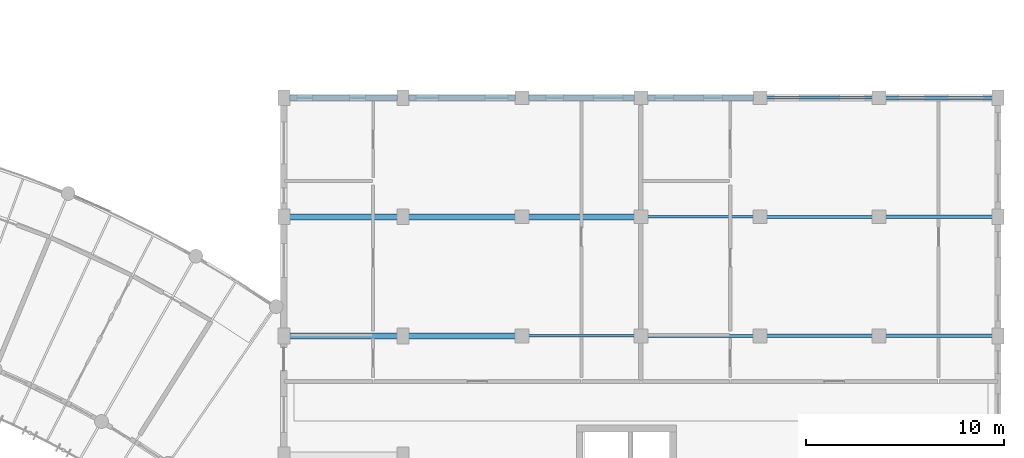
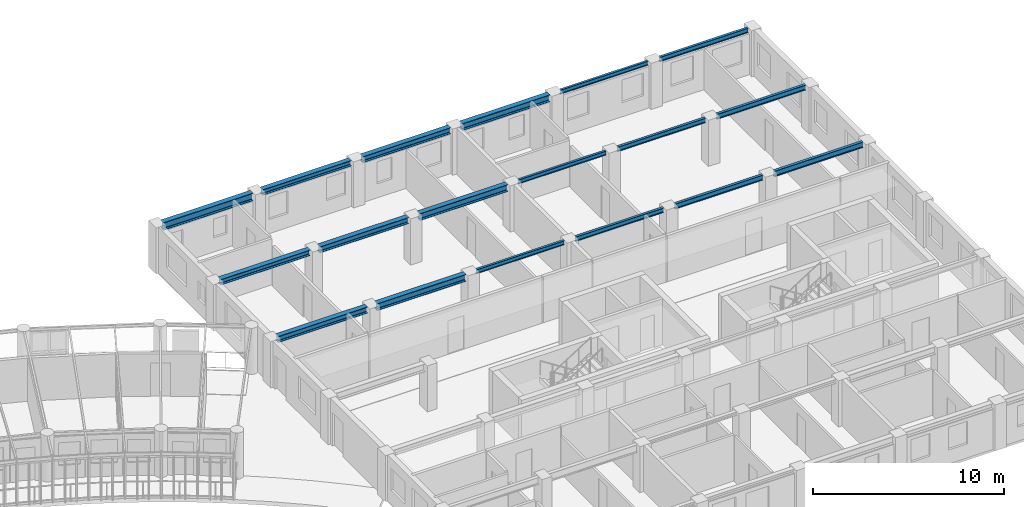
# One storey, part 67 of 137: 18 beams.
"""IFC4 building model written with IfcOpenShell, lengths in metres."""

from ifc_helpers import new_model, si_unit, direction, frame, origin, origin_2d, place, context, subcontext, project, spatial, i_section, extrude, material, material_profile, profile_set, type_object, element, save


model = new_model("IFC4")

# Units and contexts
model_context = context("Model", 3, precision=1e-05, world=origin(), true_north=direction((0.0, 1.0)))
body_context = subcontext(model_context, "Body", "Model", "MODEL_VIEW")
ifc_project = project(units=[si_unit("LENGTHUNIT", "METRE"), si_unit("AREAUNIT", "SQUARE_METRE"), si_unit("VOLUMEUNIT", "CUBIC_METRE"), si_unit("PLANEANGLEUNIT", "RADIAN"), si_unit("MASSUNIT", "GRAM", prefix="KILO"), si_unit("POWERUNIT", "WATT"), si_unit("THERMODYNAMICTEMPERATUREUNIT", "KELVIN")], contexts=[model_context])

# Site, building, storey
site_placement = place(None, origin())
site = spatial("IfcSite", under=ifc_project, at=site_placement, CompositionType="ELEMENT")
building_placement = place(site_placement, origin())
building = spatial("IfcBuilding", under=site, at=building_placement, Name="Ruvembo Vaulted Housing Court", CompositionType="ELEMENT")
storey_placement = place(building_placement, frame((0.0, 0.0, 4.5)))
storey = spatial("IfcBuildingStorey", under=building, at=storey_placement, Name="L01", CompositionType="ELEMENT", Elevation=4.5)

# Beams
ifc_material = material(Name="Steel S355J2", Category="steel")
ifc_material_profile_1 = material_profile(ifc_material, i_section(OverallWidth=0.300048828125, OverallDepth=0.5, WebThickness=0.014404296875, FlangeThickness=0.028076171875, FilletRadius=0.027099609375, at=origin_2d()), Name="HEB 320")
ifc_profile_set_1 = profile_set([ifc_material_profile_1], Name="Steel S355J2")
beam_type_1 = type_object("IfcBeamType", Name="BM-ST-HEB320", PredefinedType="BEAM", material=ifc_profile_set_1)
beam_1_placement = place(storey_placement, frame((150.284912109375, 108.0, 2.676025390625), z_axis=(1.0, 0.0, 0.0), x_axis=(0.0, 1.0, 0.0)))
element("IfcBeam", 1, at=beam_1_placement, inside=storey, type_object=beam_type_1, Name="L01 Grid Beam X #1296", PredefinedType="BEAM", context=body_context, shape_type="SweptSolid", body=[
    extrude(i_section(OverallWidth=0.300048828125, OverallDepth=0.5, WebThickness=0.014404296875, FlangeThickness=0.028076171875, FilletRadius=0.027099609375, at=origin_2d()), origin(), (0.0, 0.0, 1.0), 5.43017578125),
])
ifc_material_profile_2 = material_profile(ifc_material, i_section(OverallWidth=0.300048828125, OverallDepth=0.360107421875, WebThickness=0.012451171875, FlangeThickness=0.0224609375, FilletRadius=0.027099609375, at=origin_2d()), Name="HEB 360")
ifc_profile_set_2 = profile_set([ifc_material_profile_2], Name="Steel S355J2")
beam_type_2 = type_object("IfcBeamType", Name="BM-ST-HEB360", PredefinedType="BEAM", material=ifc_profile_set_2)
beam_2_placement = place(storey_placement, frame((150.284912109375, 102.0, 2.74609375), z_axis=(1.0, 0.0, 0.0), x_axis=(0.0, 1.0, 0.0)))
element("IfcBeam", 2, at=beam_2_placement, inside=storey, type_object=beam_type_2, Name="L01 Grid Beam X #1284", PredefinedType="BEAM", context=body_context, shape_type="SweptSolid", body=[
    extrude(i_section(OverallWidth=0.300048828125, OverallDepth=0.360107421875, WebThickness=0.012451171875, FlangeThickness=0.0224609375, FilletRadius=0.027099609375, at=origin_2d()), origin(), (0.0, 0.0, 1.0), 5.43017578125),
])
beam_3_placement = place(storey_placement, frame((156.284912109375, 108.0, 2.74609375), z_axis=(1.0, 0.0, 0.0), x_axis=(0.0, 1.0, 0.0)))
element("IfcBeam", 3, at=beam_3_placement, inside=storey, type_object=beam_type_2, Name="L01 Grid Beam X #1297", PredefinedType="BEAM", context=body_context, shape_type="SweptSolid", body=[
    extrude(i_section(OverallWidth=0.300048828125, OverallDepth=0.360107421875, WebThickness=0.012451171875, FlangeThickness=0.0224609375, FilletRadius=0.027099609375, at=origin_2d()), origin(), (0.0, 0.0, 1.0), 5.380126953125),
])
ifc_material_profile_3 = material_profile(ifc_material, i_section(OverallWidth=0.300048828125, OverallDepth=0.39990234375, WebThickness=0.013427734375, FlangeThickness=0.02392578125, FilletRadius=0.027099609375, at=origin_2d()), Name="HEB 400")
ifc_profile_set_3 = profile_set([ifc_material_profile_3], Name="Steel S355J2")
beam_type_3 = type_object("IfcBeamType", Name="BM-ST-HEB400", PredefinedType="BEAM", material=ifc_profile_set_3)
beam_4_placement = place(storey_placement, frame((150.284912109375, 96.0, 2.72607421875), z_axis=(1.0, 0.0, 0.0), x_axis=(0.0, 1.0, 0.0)))
element("IfcBeam", 4, at=beam_4_placement, inside=storey, type_object=beam_type_3, Name="L01 Grid Beam X #1272", PredefinedType="BEAM", context=body_context, shape_type="SweptSolid", body=[
    extrude(i_section(OverallWidth=0.300048828125, OverallDepth=0.39990234375, WebThickness=0.013427734375, FlangeThickness=0.02392578125, FilletRadius=0.027099609375, at=origin_2d()), origin(), (0.0, 0.0, 1.0), 5.43017578125),
])
beam_5_placement = place(storey_placement, frame((156.284912109375, 102.0, 2.72607421875), z_axis=(1.0, 0.0, 0.0), x_axis=(0.0, 1.0, 0.0)))
element("IfcBeam", 5, at=beam_5_placement, inside=storey, type_object=beam_type_3, Name="L01 Grid Beam X #1285", PredefinedType="BEAM", context=body_context, shape_type="SweptSolid", body=[
    extrude(i_section(OverallWidth=0.300048828125, OverallDepth=0.39990234375, WebThickness=0.013427734375, FlangeThickness=0.02392578125, FilletRadius=0.027099609375, at=origin_2d()), origin(), (0.0, 0.0, 1.0), 5.380126953125),
])
beam_6_placement = place(storey_placement, frame((162.3349609375, 108.0, 2.72607421875), z_axis=(1.0, 0.0, 0.0), x_axis=(0.0, 1.0, 0.0)))
element("IfcBeam", 6, at=beam_6_placement, inside=storey, type_object=beam_type_3, Name="L01 Grid Beam X #1298", PredefinedType="BEAM", context=body_context, shape_type="SweptSolid", body=[
    extrude(i_section(OverallWidth=0.300048828125, OverallDepth=0.39990234375, WebThickness=0.013427734375, FlangeThickness=0.02392578125, FilletRadius=0.027099609375, at=origin_2d()), origin(), (0.0, 0.0, 1.0), 5.330078125),
])
ifc_material_profile_4 = material_profile(ifc_material, i_section(OverallWidth=0.300048828125, OverallDepth=0.449951171875, WebThickness=0.013916015625, FlangeThickness=0.02587890625, FilletRadius=0.027099609375, at=origin_2d()), Name="HEB 450")
ifc_profile_set_4 = profile_set([ifc_material_profile_4], Name="Steel S355J2")
beam_type_4 = type_object("IfcBeamType", Name="BM-ST-HEB450", PredefinedType="BEAM", material=ifc_profile_set_4)
beam_7_placement = place(storey_placement, frame((156.284912109375, 96.0, 2.700927734375), z_axis=(1.0, 0.0, 0.0), x_axis=(0.0, 1.0, 0.0)))
element("IfcBeam", 7, at=beam_7_placement, inside=storey, type_object=beam_type_4, Name="L01 Grid Beam X #1273", PredefinedType="BEAM", context=body_context, shape_type="SweptSolid", body=[
    extrude(i_section(OverallWidth=0.300048828125, OverallDepth=0.449951171875, WebThickness=0.013916015625, FlangeThickness=0.02587890625, FilletRadius=0.027099609375, at=origin_2d()), origin(), (0.0, 0.0, 1.0), 5.380126953125),
])
for number, where, z_axis, x_axis, name in (
    (8, (162.3349609375, 102.0, 2.700927734375), (1.0, 0.0, 0.0), (0.0, 1.0, 0.0), "L01 Grid Beam X #1286"),
    (9, (168.3349609375, 108.0, 2.700927734375), (1.0, 0.0, 0.0), (0.0, 1.0, 0.0), "L01 Grid Beam X #1299"),
):
    element("IfcBeam", number, at=place(storey_placement, frame(where, z_axis=z_axis, x_axis=x_axis)), inside=storey, type_object=beam_type_4, Name=name, PredefinedType="BEAM", context=body_context, shape_type="SweptSolid", body=[
        extrude(i_section(OverallWidth=0.300048828125, OverallDepth=0.449951171875, WebThickness=0.013916015625, FlangeThickness=0.02587890625, FilletRadius=0.027099609375, at=origin_2d()), origin(), (0.0, 0.0, 1.0), 5.330078125),
    ])
ifc_material_profile_5 = material_profile(ifc_material, i_section(OverallWidth=0.135009765625, OverallDepth=0.27001953125, WebThickness=0.006591796875, FlangeThickness=0.01025390625, FilletRadius=0.014892578125, at=origin_2d()), Name="IPE 270")
ifc_profile_set_5 = profile_set([ifc_material_profile_5], Name="Steel S355J2")
beam_type_5 = type_object("IfcBeamType", Name="BM-ST-IPE270", PredefinedType="BEAM", material=ifc_profile_set_5)
for number, where, z_axis, x_axis, name in (
    (10, (162.3349609375, 96.0, 2.791015625), (1.0, 0.0, 0.0), (0.0, 1.0, 0.0), "L01 Grid Beam X #1274"),
    (11, (168.3349609375, 102.0, 2.791015625), (1.0, 0.0, 0.0), (0.0, 1.0, 0.0), "L01 Grid Beam X #1287"),
    (12, (174.3349609375, 108.0, 2.791015625), (1.0, 0.0, 0.0), (0.0, 1.0, 0.0), "L01 Grid Beam X #1300"),
):
    element("IfcBeam", number, at=place(storey_placement, frame(where, z_axis=z_axis, x_axis=x_axis)), inside=storey, type_object=beam_type_5, Name=name, PredefinedType="BEAM", context=body_context, shape_type="SweptSolid", body=[
        extrude(i_section(OverallWidth=0.135009765625, OverallDepth=0.27001953125, WebThickness=0.006591796875, FlangeThickness=0.01025390625, FilletRadius=0.014892578125, at=origin_2d()), origin(), (0.0, 0.0, 1.0), 5.330078125),
    ])
ifc_material_profile_6 = material_profile(ifc_material, i_section(OverallWidth=0.14990234375, OverallDepth=0.300048828125, WebThickness=0.007080078125, FlangeThickness=0.0107421875, FilletRadius=0.014892578125, at=origin_2d()), Name="IPE 300")
ifc_profile_set_6 = profile_set([ifc_material_profile_6], Name="Steel S355J2")
beam_type_6 = type_object("IfcBeamType", Name="BM-ST-IPE300", PredefinedType="BEAM", material=ifc_profile_set_6)
for number, where, z_axis, x_axis, name in (
    (13, (168.3349609375, 96.0, 2.77587890625), (1.0, 0.0, 0.0), (0.0, 1.0, 0.0), "L01 Grid Beam X #1275"),
    (14, (174.3349609375, 102.0, 2.77587890625), (1.0, 0.0, 0.0), (0.0, 1.0, 0.0), "L01 Grid Beam X #1288"),
):
    element("IfcBeam", number, at=place(storey_placement, frame(where, z_axis=z_axis, x_axis=x_axis)), inside=storey, type_object=beam_type_6, Name=name, PredefinedType="BEAM", context=body_context, shape_type="SweptSolid", body=[
        extrude(i_section(OverallWidth=0.14990234375, OverallDepth=0.300048828125, WebThickness=0.007080078125, FlangeThickness=0.0107421875, FilletRadius=0.014892578125, at=origin_2d()), origin(), (0.0, 0.0, 1.0), 5.330078125),
    ])
beam_8_placement = place(storey_placement, frame((180.3349609375, 108.0, 2.77587890625), z_axis=(1.0, 0.0, 0.0), x_axis=(0.0, 1.0, 0.0)))
element("IfcBeam", 15, at=beam_8_placement, inside=storey, type_object=beam_type_6, Name="L01 Grid Beam X #1301", PredefinedType="BEAM", context=body_context, shape_type="SweptSolid", body=[
    extrude(i_section(OverallWidth=0.14990234375, OverallDepth=0.300048828125, WebThickness=0.007080078125, FlangeThickness=0.0107421875, FilletRadius=0.014892578125, at=origin_2d()), origin(), (0.0, 0.0, 1.0), 5.380126953125),
])
ifc_material_profile_7 = material_profile(ifc_material, i_section(OverallWidth=0.159912109375, OverallDepth=0.330078125, WebThickness=0.007568359375, FlangeThickness=0.011474609375, FilletRadius=0.01806640625, at=origin_2d()), Name="IPE 330")
ifc_profile_set_7 = profile_set([ifc_material_profile_7], Name="Steel S355J2")
beam_type_7 = type_object("IfcBeamType", Name="BM-ST-IPE330", PredefinedType="BEAM", material=ifc_profile_set_7)
beam_9_placement = place(storey_placement, frame((174.3349609375, 96.0, 2.760986328125), z_axis=(1.0, 0.0, 0.0), x_axis=(0.0, 1.0, 0.0)))
element("IfcBeam", 16, at=beam_9_placement, inside=storey, type_object=beam_type_7, Name="L01 Grid Beam X #1276", PredefinedType="BEAM", context=body_context, shape_type="SweptSolid", body=[
    extrude(i_section(OverallWidth=0.159912109375, OverallDepth=0.330078125, WebThickness=0.007568359375, FlangeThickness=0.011474609375, FilletRadius=0.01806640625, at=origin_2d()), origin(), (0.0, 0.0, 1.0), 5.330078125),
])
beam_10_placement = place(storey_placement, frame((180.3349609375, 102.0, 2.760986328125), z_axis=(1.0, 0.0, 0.0), x_axis=(0.0, 1.0, 0.0)))
element("IfcBeam", 17, at=beam_10_placement, inside=storey, type_object=beam_type_7, Name="L01 Grid Beam X #1289", PredefinedType="BEAM", context=body_context, shape_type="SweptSolid", body=[
    extrude(i_section(OverallWidth=0.159912109375, OverallDepth=0.330078125, WebThickness=0.007568359375, FlangeThickness=0.011474609375, FilletRadius=0.01806640625, at=origin_2d()), origin(), (0.0, 0.0, 1.0), 5.380126953125),
])
ifc_material_profile_8 = material_profile(ifc_material, i_section(OverallWidth=0.169921875, OverallDepth=0.360107421875, WebThickness=0.008056640625, FlangeThickness=0.0126953125, FilletRadius=0.01806640625, at=origin_2d()), Name="IPE 360")
ifc_profile_set_8 = profile_set([ifc_material_profile_8], Name="Steel S355J2")
beam_type_8 = type_object("IfcBeamType", Name="BM-ST-IPE360", PredefinedType="BEAM", material=ifc_profile_set_8)
beam_11_placement = place(storey_placement, frame((180.3349609375, 96.0, 2.74609375), z_axis=(1.0, 0.0, 0.0), x_axis=(0.0, 1.0, 0.0)))
element("IfcBeam", 18, at=beam_11_placement, inside=storey, type_object=beam_type_8, Name="L01 Grid Beam X #1277", PredefinedType="BEAM", context=body_context, shape_type="SweptSolid", body=[
    extrude(i_section(OverallWidth=0.169921875, OverallDepth=0.360107421875, WebThickness=0.008056640625, FlangeThickness=0.0126953125, FilletRadius=0.01806640625, at=origin_2d()), origin(), (0.0, 0.0, 1.0), 5.380126953125),
])

save(model, "model.ifc")
